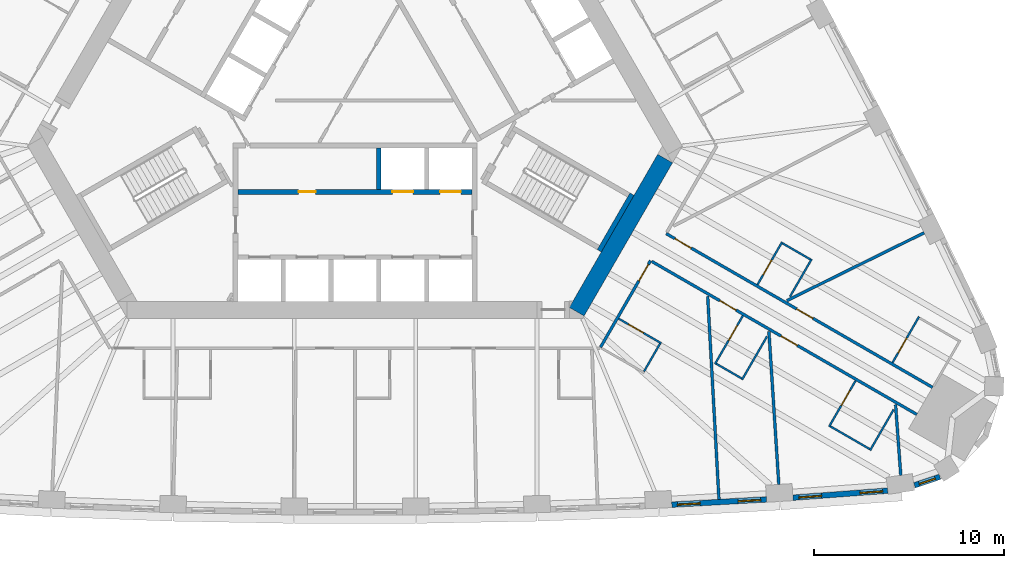
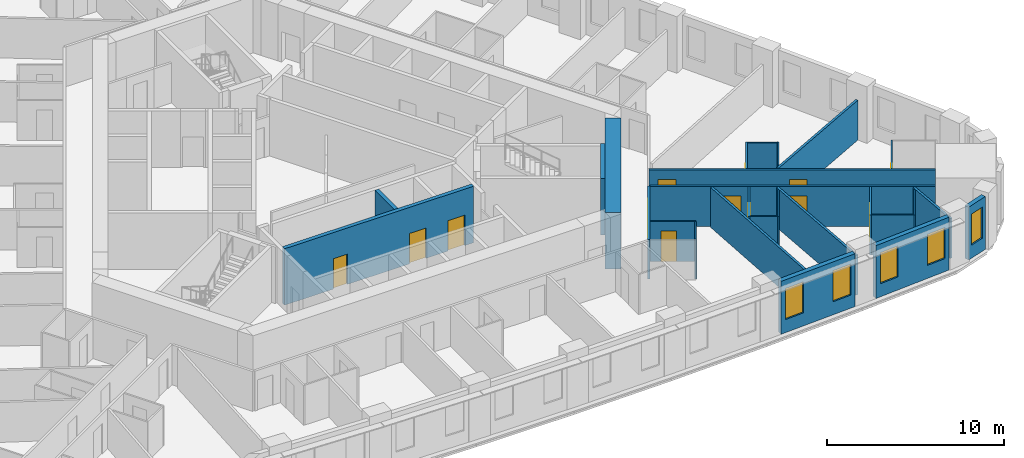
# One storey, part 7 of 13: 26 walls, 13 doors, 5 windows, 18 openings.
"""IFC4 building model written with IfcOpenShell, lengths in metres."""

import ifcopenshell
import ifcopenshell.guid

model = None  # the IFC model being written
_history = None  # IfcOwnerHistory: only IFC2X3 demands one
_inside = {}  # id of a spatial element -> (the spatial element, [elements in it])
_under = {}  # id of a project, library or spatial element -> (it, [spatial elements below it])
_declared = {}  # id of a project -> (the project, [libraries it declares])
_typed = {}  # id of a type object -> (the type object, [elements of that type])
_made_of = {}  # id of a material, layer set ... -> (it, [elements and type objects made of it])


def new_model(schema):
    """Start an empty IFC model of exactly this schema.

    Asked for "IFC4X3", IfcOpenShell would pick the latest addendum, in which some entities
    have other attributes; the version numbers below select the first issue.
    IFC2X3 requires an IfcOwnerHistory on every rooted entity: one is made here for all.
    """
    global model, _history
    if schema == "IFC4X3":
        model = ifcopenshell.file(schema_version=(4, 3, 0, 0))
    else:
        model = ifcopenshell.file(schema=schema)
    _inside.clear()
    _under.clear()
    _declared.clear()
    _typed.clear()
    _made_of.clear()
    _history = None
    if model.schema == "IFC2X3":
        org = make("IfcOrganization", Name="unknown")
        user = make(
            "IfcPersonAndOrganization",
            ThePerson=make("IfcPerson", FamilyName="unknown"),
            TheOrganization=org,
        )
        app = make(
            "IfcApplication",
            ApplicationDeveloper=org,
            Version="unknown",
            ApplicationFullName="unknown",
            ApplicationIdentifier="unknown",
        )
        _history = make(
            "IfcOwnerHistory",
            OwningUser=user,
            OwningApplication=app,
            ChangeAction="ADDED",
            CreationDate=0,
        )
    return model


def make(cls, **values):
    """One entity of the class cls with the attributes given. An attribute that is None is left unset."""
    return model.create_entity(
        cls, **{name: value for name, value in values.items() if value is not None}
    )


def rooted(cls, **values):
    """An entity with a GlobalId (a new one), such as an element, a storey or a relation."""
    return make(cls, GlobalId=ifcopenshell.guid.new(), OwnerHistory=_history, **values)


def si_unit(unit_type, name, prefix=None):
    """IfcSIUnit, for example si_unit("LENGTHUNIT", "METRE", prefix="MILLI")."""
    return make("IfcSIUnit", UnitType=unit_type, Prefix=prefix, Name=name)


def assignment(units):
    """IfcUnitAssignment: the units of a project."""
    return None if units is None else make("IfcUnitAssignment", Units=units)


def point(xyz):
    """IfcCartesianPoint."""
    return None if xyz is None else make("IfcCartesianPoint", Coordinates=xyz)


def direction(xyz):
    """IfcDirection."""
    return None if xyz is None else make("IfcDirection", DirectionRatios=xyz)


def frame(location, z_axis=None, x_axis=None):
    """IfcAxis2Placement3D, a coordinate frame: its origin and axes. An axis left out is left unset."""
    return make(
        "IfcAxis2Placement3D",
        Location=point(location),
        Axis=direction(z_axis),
        RefDirection=direction(x_axis),
    )


def frame_2d(location, x_axis=None):
    """IfcAxis2Placement2D, a coordinate frame in the plane: its origin and x axis."""
    return make(
        "IfcAxis2Placement2D", Location=point(location), RefDirection=direction(x_axis)
    )


def origin():
    """The frame at (0, 0, 0) with its axes left unset."""
    return frame((0.0, 0.0, 0.0))


def place(relative_to, where):
    """IfcLocalPlacement: puts the frame where relative to a parent placement (None: the world)."""
    return make(
        "IfcLocalPlacement", PlacementRelTo=relative_to, RelativePlacement=where
    )


def context(
    kind, dimensions, precision=None, world=None, true_north=None, identifier=None
):
    """IfcGeometricRepresentationContext, for example the 3D "Model" context."""
    return make(
        "IfcGeometricRepresentationContext",
        ContextIdentifier=identifier,
        ContextType=kind,
        CoordinateSpaceDimension=dimensions,
        Precision=precision,
        WorldCoordinateSystem=world,
        TrueNorth=true_north,
    )


def subcontext(parent, identifier, kind, view, scale=None):
    """IfcGeometricRepresentationSubContext, for example "Body" below "Model"."""
    return make(
        "IfcGeometricRepresentationSubContext",
        ContextIdentifier=identifier,
        ContextType=kind,
        ParentContext=parent,
        TargetScale=scale,
        TargetView=view,
    )


def project(units=None, contexts=None):
    """IfcProject with its units and contexts."""
    return rooted(
        "IfcProject",
        Name="project",
        RepresentationContexts=contexts,
        UnitsInContext=assignment(units),
    )


def spatial(cls, under=None, at=None, **own):
    """A site, building, storey or space (cls), placed at a placement, below another one or the project."""
    s = rooted(cls, ObjectPlacement=at, **own)
    if under is not None:
        _under.setdefault(under.id(), (under, []))[1].append(s)
    return s


def profile(cls, at=None, kind="AREA", **sizes):
    """A parametric profile (cls). Its sizes go by their IFC names, for example OverallWidth=200.0."""
    return make(cls, ProfileType=kind, Position=at, **sizes)


def rectangle(**sizes):
    """IfcRectangleProfileDef."""
    return profile("IfcRectangleProfileDef", **sizes)


def extrude(swept, where, along, depth):
    """IfcExtrudedAreaSolid: the profile swept, set in the frame where, extruded along a direction by depth."""
    return make(
        "IfcExtrudedAreaSolid",
        SweptArea=swept,
        Position=where,
        ExtrudedDirection=direction(along),
        Depth=depth,
    )


def shape(context_of_items, identifier, shape_type, items):
    """IfcShapeRepresentation: the items that make up one representation, for example the "Body"."""
    return make(
        "IfcShapeRepresentation",
        ContextOfItems=context_of_items,
        RepresentationIdentifier=identifier,
        RepresentationType=shape_type,
        Items=items,
    )


def material(Name=None, Category=None):
    """IfcMaterial."""
    return make("IfcMaterial", Name=Name, Category=Category)


def layer(
    of_material, thickness, ventilated=None, Name=None, Category=None, Priority=None
):
    """IfcMaterialLayer: one layer of a wall or slab, of a material (None: an air gap)."""
    return make(
        "IfcMaterialLayer",
        Material=of_material,
        LayerThickness=thickness,
        IsVentilated=ventilated,
        Name=Name,
        Category=Category,
        Priority=Priority,
    )


def layer_set(layers, Name=None):
    """IfcMaterialLayerSet."""
    return make("IfcMaterialLayerSet", MaterialLayers=layers, LayerSetName=Name)


def made_of(thing, what):
    """Note that an element or type object is made of a material, layer set ...; save() writes the relation."""
    if what is not None:
        _made_of.setdefault(what.id(), (what, []))[1].append(thing)
    return thing


def type_object(cls, material=None, **own):
    """A type object (cls), such as IfcWallType, which elements share."""
    return made_of(rooted(cls, **own), material)


def element(
    cls,
    number,
    at=None,
    inside=None,
    cuts=None,
    type_object=None,
    material=None,
    context=None,
    identifier="Body",
    shape_type=None,
    held_by="IfcProductDefinitionShape",
    body=None,
    shapes=None,
    **own,
):
    """One element of the class cls, such as IfcWall. Its Tag is "e" and its number.

    at: its placement. inside: the storey or other place that contains it. cuts: it is an
    opening in that element (IfcRelVoidsElement). A single representation is given by context,
    identifier, shape_type and body (its items); several are given by shapes. held_by: the class
    of the entity that holds the representations. save() writes the other relations.
    """
    e = rooted(cls, Tag="e%d" % number, ObjectPlacement=at, **own)
    if body is not None:
        shapes = [shape(context, identifier, shape_type, body)]
    if shapes is not None:
        e.Representation = make(held_by, Representations=shapes)
    if inside is not None:
        _inside.setdefault(inside.id(), (inside, []))[1].append(e)
    if cuts is not None:
        rooted(
            "IfcRelVoidsElement", RelatingBuildingElement=cuts, RelatedOpeningElement=e
        )
    if type_object is not None:
        _typed.setdefault(type_object.id(), (type_object, []))[1].append(e)
    return made_of(e, material)


def fill(opening, filler):
    """IfcRelFillsElement: the door or window that sits in an opening."""
    return rooted(
        "IfcRelFillsElement",
        RelatingOpeningElement=opening,
        RelatedBuildingElement=filler,
    )


def aggregate(whole, parts):
    """IfcRelAggregates: a whole, such as a stair, and the parts it consists of."""
    return rooted("IfcRelAggregates", RelatingObject=whole, RelatedObjects=parts)


def save(model, path):
    """Write the relations noted so far, then the file.

    IfcRelAggregates (storeys below a building ...), IfcRelContainedInSpatialStructure (elements
    in a storey), IfcRelDefinesByType, IfcRelAssociatesMaterial and IfcRelDeclares: one each for
    every whole, place, type object, material and project.
    """
    for whole, parts in _under.values():
        aggregate(whole, parts)
    for where, things in _inside.values():
        rooted(
            "IfcRelContainedInSpatialStructure",
            RelatedElements=things,
            RelatingStructure=where,
        )
    for kind, things in _typed.values():
        rooted("IfcRelDefinesByType", RelatedObjects=things, RelatingType=kind)
    for what, things in _made_of.values():
        rooted("IfcRelAssociatesMaterial", RelatedObjects=things, RelatingMaterial=what)
    for by, libraries in _declared.values():
        rooted("IfcRelDeclares", RelatingContext=by, RelatedDefinitions=libraries)
    model.write(path)


model = new_model("IFC4")

# Units and contexts
model_context = context("Model", 3, precision=1e-05, world=origin(), true_north=direction((0.0, 1.0)))
body_context = subcontext(model_context, "Body", "Model", "MODEL_VIEW")
ifc_project = project(units=[si_unit("LENGTHUNIT", "METRE"), si_unit("AREAUNIT", "SQUARE_METRE"), si_unit("VOLUMEUNIT", "CUBIC_METRE"), si_unit("PLANEANGLEUNIT", "RADIAN"), si_unit("MASSUNIT", "GRAM", prefix="KILO")], contexts=[model_context])

# Site, building, storey
site_placement = place(None, origin())
site = spatial("IfcSite", under=ifc_project, at=site_placement, CompositionType="ELEMENT")
building_placement = place(site_placement, origin())
building = spatial("IfcBuilding", under=site, at=building_placement, Name="Mestral Congress Tower", CompositionType="ELEMENT")
storey_placement = place(building_placement, frame((0.0, 0.0, 27.60009765625)))
storey = spatial("IfcBuildingStorey", under=building, at=storey_placement, Name="L05", CompositionType="ELEMENT", Elevation=27.60009765625)

# Wall
ifc_material_1 = material(Name="Concrete C60/75", Category="concrete")
ifc_layer_1 = layer(ifc_material_1, 0.89990234375)
ifc_layer_set_1 = layer_set([ifc_layer_1], Name="Concrete C60/75")
wall_type_1 = type_object("IfcWallType", Name="Core wall RC 900", PredefinedType="SOLIDWALL", material=ifc_layer_set_1)
wall_1_placement = place(storey_placement, frame((11.69482421875, -12.643798828125, 0.0), z_axis=(0.0, 0.0, 1.0), x_axis=(0.500010229568, 0.86601949766, 0.0)))
element("IfcWall", 1, at=wall_1_placement, inside=storey, type_object=wall_type_1, Name="L05 core wall", PredefinedType="SOLIDWALL", context=body_context, shape_type="SweptSolid", body=[
    extrude(rectangle(XDim=9.326416015625, YDim=0.89990234375, at=frame_2d((4.6630859375, 0.0))), origin(), (0.0, 0.0, 1.0), 3.89990234375),
])

# Wall, openings, windows
ifc_material_2 = material(Name="Precast concrete C40/50 with limestone facing", Category="masonry")
ifc_layer_2 = layer(ifc_material_2, 0.2900390625)
ifc_layer_set_2 = layer_set([ifc_layer_2], Name="Precast concrete C40/50 with limestone facing")
wall_type_2 = type_object("IfcWallType", Name="Facade stone wall 290", PredefinedType="SOLIDWALL", material=ifc_layer_set_2)
wall_2_placement = place(storey_placement, frame((16.7109375, -22.823974609375, 0.0), z_axis=(0.0, 0.0, 1.0), x_axis=(0.998464708705, 0.055391564976, 0.0)))
wall_2 = element("IfcWall", 2, at=wall_2_placement, inside=storey, type_object=wall_type_2, Name="Facade wall F0-07", PredefinedType="SOLIDWALL", context=body_context, shape_type="SweptSolid", body=[
    extrude(rectangle(XDim=4.998046875, YDim=0.2900390625, at=frame_2d((2.4990234375, 0.0))), origin(), (0.0, 0.0, 1.0), 3.64990234375),
])
opening_1_placement = place(wall_2_placement, frame((0.297119140625, 0.0, 0.89990234375)))
opening_1 = element("IfcOpeningElement", 3, at=opening_1_placement, cuts=wall_2, Name="Opening W1", PredefinedType="OPENING", context=body_context, shape_type="SweptSolid", body=[
    extrude(rectangle(XDim=1.199951171875, YDim=2.14990234375, at=frame_2d((0.60009765625, 1.074951171875))), frame((0.0, 0.155029296875, 0.0), z_axis=(0.0, -1.0, 0.0), x_axis=(1.0, 0.0, 0.0)), (0.0, 0.0, 1.0), 0.31005859375),
])
opening_2_placement = place(wall_2_placement, frame((3.501220703125, 0.0, 0.89990234375)))
opening_2 = element("IfcOpeningElement", 4, at=opening_2_placement, cuts=wall_2, Name="Opening W1", PredefinedType="OPENING", context=body_context, shape_type="SweptSolid", body=[
    extrude(rectangle(XDim=1.199951171875, YDim=2.14990234375, at=frame_2d((0.60009765625, 1.074951171875))), frame((0.0, 0.155029296875, 0.0), z_axis=(0.0, -1.0, 0.0), x_axis=(1.0, 0.0, 0.0)), (0.0, 0.0, 1.0), 0.31005859375),
])
ifc_material_3 = material(Name="Clear low-emissivity double glazing", Category="glass")
window_type_1 = type_object("IfcWindowType", Name="Facade punched window 1200 x 2150 sill 900", PartitioningType="DOUBLE_PANEL_VERTICAL", PredefinedType="WINDOW", material=ifc_material_3)
window_1_placement = place(opening_1_placement, origin())
window_1 = element("IfcWindow", 5, at=window_1_placement, inside=storey, type_object=window_type_1, Name="Window F0-07a", OverallHeight=2.14990234375, OverallWidth=1.199951171875, PartitioningType="DOUBLE_PANEL_VERTICAL", PredefinedType="WINDOW", context=body_context, shape_type="SweptSolid", body=[
    extrude(rectangle(XDim=1.199951171875, YDim=2.14990234375, at=frame_2d((0.60009765625, 1.074951171875))), frame((0.0, 0.01513671875, 0.0), z_axis=(0.0, -1.0, 0.0), x_axis=(1.0, 0.0, 0.0)), (0.0, 0.0, 1.0), 0.06005859375),
])
fill(opening_1, window_1)
window_2_placement = place(opening_2_placement, origin())
window_2 = element("IfcWindow", 6, at=window_2_placement, inside=storey, type_object=window_type_1, Name="Window F0-07b", OverallHeight=2.14990234375, OverallWidth=1.199951171875, PartitioningType="DOUBLE_PANEL_VERTICAL", PredefinedType="WINDOW", context=body_context, shape_type="SweptSolid", body=[
    extrude(rectangle(XDim=1.199951171875, YDim=2.14990234375, at=frame_2d((0.60009765625, 1.074951171875))), frame((0.0, 0.01513671875, 0.0), z_axis=(0.0, -1.0, 0.0), x_axis=(1.0, 0.0, 0.0)), (0.0, 0.0, 1.0), 0.06005859375),
])
fill(opening_2, window_2)

wall_3_placement = place(storey_placement, frame((23.10595703125, -22.4560546875, 0.0), z_axis=(0.0, 0.0, 1.0), x_axis=(0.997266290399, 0.073891447643, 0.0)))
wall_3 = element("IfcWall", 7, at=wall_3_placement, inside=storey, type_object=wall_type_2, Name="Facade wall F0-08", PredefinedType="SOLIDWALL", context=body_context, shape_type="SweptSolid", body=[
    extrude(rectangle(XDim=5.005615234375, YDim=0.2900390625, at=frame_2d((2.5029296875, 0.0))), origin(), (0.0, 0.0, 1.0), 3.64990234375),
])
opening_3_placement = place(wall_3_placement, frame((0.31005859375, 0.0, 0.89990234375)))
opening_3 = element("IfcOpeningElement", 8, at=opening_3_placement, cuts=wall_3, Name="Opening W1", PredefinedType="OPENING", context=body_context, shape_type="SweptSolid", body=[
    extrude(rectangle(XDim=1.199951171875, YDim=2.14990234375, at=frame_2d((0.60009765625, 1.074951171875))), frame((0.0, 0.155029296875, 0.0), z_axis=(0.0, -1.0, 0.0), x_axis=(1.0, 0.0, 0.0)), (0.0, 0.0, 1.0), 0.31005859375),
])
opening_4_placement = place(wall_3_placement, frame((3.540283203125, 0.0, 0.89990234375)))
opening_4 = element("IfcOpeningElement", 9, at=opening_4_placement, cuts=wall_3, Name="Opening W1", PredefinedType="OPENING", context=body_context, shape_type="SweptSolid", body=[
    extrude(rectangle(XDim=1.199951171875, YDim=2.14990234375, at=frame_2d((0.60009765625, 1.074951171875))), frame((0.0, 0.155029296875, 0.0), z_axis=(0.0, -1.0, 0.0), x_axis=(1.0, 0.0, 0.0)), (0.0, 0.0, 1.0), 0.31005859375),
])
window_3_placement = place(opening_3_placement, origin())
window_3 = element("IfcWindow", 10, at=window_3_placement, inside=storey, type_object=window_type_1, Name="Window F0-08a", OverallHeight=2.14990234375, OverallWidth=1.199951171875, PartitioningType="DOUBLE_PANEL_VERTICAL", PredefinedType="WINDOW", context=body_context, shape_type="SweptSolid", body=[
    extrude(rectangle(XDim=1.199951171875, YDim=2.14990234375, at=frame_2d((0.60009765625, 1.074951171875))), frame((0.0, 0.01513671875, 0.0), z_axis=(0.0, -1.0, 0.0), x_axis=(1.0, 0.0, 0.0)), (0.0, 0.0, 1.0), 0.06005859375),
])
fill(opening_3, window_3)
window_4_placement = place(opening_4_placement, origin())
window_4 = element("IfcWindow", 11, at=window_4_placement, inside=storey, type_object=window_type_1, Name="Window F0-08b", OverallHeight=2.14990234375, OverallWidth=1.199951171875, PartitioningType="DOUBLE_PANEL_VERTICAL", PredefinedType="WINDOW", context=body_context, shape_type="SweptSolid", body=[
    extrude(rectangle(XDim=1.199951171875, YDim=2.14990234375, at=frame_2d((0.60009765625, 1.074951171875))), frame((0.0, 0.01513671875, 0.0), z_axis=(0.0, -1.0, 0.0), x_axis=(1.0, 0.0, 0.0)), (0.0, 0.0, 1.0), 0.06005859375),
])
fill(opening_4, window_4)

# Wall, opening, window
wall_4_placement = place(storey_placement, frame((29.51171875, -21.80224609375, 0.0), z_axis=(0.0, 0.0, 1.0), x_axis=(0.947903891592, 0.318556450734, 0.0)))
wall_4 = element("IfcWall", 12, at=wall_4_placement, inside=storey, type_object=wall_type_2, Name="Facade wall K0-0", PredefinedType="SOLIDWALL", context=body_context, shape_type="SweptSolid", body=[
    extrude(rectangle(XDim=1.414794921875, YDim=0.2900390625, at=frame_2d((0.70751953125, 0.0))), origin(), (0.0, 0.0, 1.0), 3.64990234375),
])
opening_5_placement = place(wall_4_placement, frame((0.25732421875, 0.0, 0.89990234375)))
opening_5 = element("IfcOpeningElement", 13, at=opening_5_placement, cuts=wall_4, Name="Opening W3", PredefinedType="OPENING", context=body_context, shape_type="SweptSolid", body=[
    extrude(rectangle(XDim=0.89990234375, YDim=2.14990234375, at=frame_2d((0.449951171875, 1.074951171875))), frame((0.0, 0.155029296875, 0.0), z_axis=(0.0, -1.0, 0.0), x_axis=(1.0, 0.0, 0.0)), (0.0, 0.0, 1.0), 0.31005859375),
])
window_type_2 = type_object("IfcWindowType", Name="Facade punched window 900 x 2150 sill 900", PartitioningType="SINGLE_PANEL", PredefinedType="WINDOW", material=ifc_material_3)
window_5_placement = place(opening_5_placement, origin())
window_5 = element("IfcWindow", 14, at=window_5_placement, inside=storey, type_object=window_type_2, Name="Window K0-0", OverallHeight=2.14990234375, OverallWidth=0.89990234375, PartitioningType="SINGLE_PANEL", PredefinedType="WINDOW", context=body_context, shape_type="SweptSolid", body=[
    extrude(rectangle(XDim=0.89990234375, YDim=2.14990234375, at=frame_2d((0.449951171875, 1.074951171875))), frame((0.0, 0.01513671875, 0.0), z_axis=(0.0, -1.0, 0.0), x_axis=(1.0, 0.0, 0.0)), (0.0, 0.0, 1.0), 0.06005859375),
])
fill(opening_5, window_5)

# Wall, opening, door
ifc_material_4 = material(Name="Gypsum board partition on metal studs with mineral wool", Category="composite")
ifc_layer_3 = layer(ifc_material_4, 0.10009765625)
ifc_layer_set_3 = layer_set([ifc_layer_3], Name="Gypsum board partition on metal studs with mineral wool")
wall_type_3 = type_object("IfcWallType", Name="Hotel partition wall 100", PredefinedType="PARTITIONING", material=ifc_layer_set_3)
wall_5_placement = place(storey_placement, frame((16.159912109375, -14.310302734375, 0.0), z_axis=(0.0, 0.0, 1.0), x_axis=(-0.866062058628, 0.499936506574, 0.0)))
wall_5 = element("IfcWall", 15, at=wall_5_placement, inside=storey, type_object=wall_type_3, Name="L05-h-pod08a", PredefinedType="PARTITIONING", context=body_context, shape_type="SweptSolid", body=[
    extrude(rectangle(XDim=2.599853515625, YDim=0.10009765625, at=frame_2d((1.2998046875, 0.0))), origin(), (0.0, 0.0, 1.0), 2.75),
])
opening_6_placement = place(wall_5_placement, frame((1.10009765625, 0.0, 0.0)))
opening_6 = element("IfcOpeningElement", 16, at=opening_6_placement, cuts=wall_5, Name="Opening H01-015", PredefinedType="OPENING", context=body_context, shape_type="SweptSolid", body=[
    extrude(rectangle(XDim=0.89990234375, YDim=2.10009765625, at=frame_2d((0.449951171875, 1.050048828125))), frame((0.0, 0.06005859375, 0.0), z_axis=(0.0, -1.0, 0.0), x_axis=(1.0, 0.0, 0.0)), (0.0, 0.0, 1.0), 0.1201171875),
])
ifc_material_5 = material(Name="Timber veneer door leaf in timber frame", Category="wood")
door_type_1 = type_object("IfcDoorType", Name="Bathroom door 900", OperationType="SINGLE_SWING_LEFT", PredefinedType="DOOR", material=ifc_material_5)
door_1_placement = place(opening_6_placement, origin())
door_1 = element("IfcDoor", 17, at=door_1_placement, inside=storey, type_object=door_type_1, Name="L05-h-d015", OperationType="SINGLE_SWING_LEFT", OverallHeight=2.10009765625, OverallWidth=0.89990234375, PredefinedType="DOOR", context=body_context, shape_type="SweptSolid", body=[
    extrude(rectangle(XDim=0.89990234375, YDim=2.10009765625, at=frame_2d((0.449951171875, 1.050048828125))), frame((0.0, 0.02490234375, 0.0), z_axis=(0.0, -1.0, 0.0), x_axis=(1.0, 0.0, 0.0)), (0.0, 0.0, 1.0), 0.050048828125),
])
fill(opening_6, door_1)

# Wall
wall_6_placement = place(storey_placement, frame((16.091552734375, -14.32861328125, 0.0), z_axis=(0.0, 0.0, 1.0), x_axis=(-0.500062241894, -0.865989465428, 0.0)))
element("IfcWall", 18, at=wall_6_placement, inside=storey, type_object=wall_type_3, Name="L05-h-pod08b", PredefinedType="PARTITIONING", context=body_context, shape_type="SweptSolid", body=[
    extrude(rectangle(XDim=1.699951171875, YDim=0.10009765625, at=frame_2d((0.85009765625, 0.0))), origin(), (0.0, 0.0, 1.0), 2.75),
])

# Wall, opening, door
wall_7_placement = place(storey_placement, frame((20.4609375, -12.852294921875, 0.0), z_axis=(0.0, 0.0, 1.0), x_axis=(-0.49997559174, -0.866039495442, 0.0)))
wall_7 = element("IfcWall", 19, at=wall_7_placement, inside=storey, type_object=wall_type_3, Name="L05-h-pod09a", PredefinedType="PARTITIONING", context=body_context, shape_type="SweptSolid", body=[
    extrude(rectangle(XDim=2.949951171875, YDim=0.10009765625, at=frame_2d((1.47509765625, 0.0))), origin(), (0.0, 0.0, 1.0), 2.75),
])
opening_7_placement = place(wall_7_placement, frame((0.60009765625, 0.0, 0.0)))
opening_7 = element("IfcOpeningElement", 20, at=opening_7_placement, cuts=wall_7, Name="Opening H01-017", PredefinedType="OPENING", context=body_context, shape_type="SweptSolid", body=[
    extrude(rectangle(XDim=0.89990234375, YDim=2.10009765625, at=frame_2d((0.449951171875, 1.050048828125))), frame((0.0, 0.06005859375, 0.0), z_axis=(0.0, -1.0, 0.0), x_axis=(1.0, 0.0, 0.0)), (0.0, 0.0, 1.0), 0.1201171875),
])
door_2_placement = place(opening_7_placement, origin())
door_2 = element("IfcDoor", 21, at=door_2_placement, inside=storey, type_object=door_type_1, Name="L05-h-d017", OperationType="SINGLE_SWING_RIGHT", OverallHeight=2.10009765625, OverallWidth=0.89990234375, PredefinedType="DOOR", context=body_context, shape_type="SweptSolid", body=[
    extrude(rectangle(XDim=0.89990234375, YDim=2.10009765625, at=frame_2d((0.449951171875, 1.050048828125))), frame((0.0, 0.02490234375, 0.0), z_axis=(0.0, -1.0, 0.0), x_axis=(1.0, 0.0, 0.0)), (0.0, 0.0, 1.0), 0.050048828125),
])
fill(opening_7, door_2)

# Walls
wall_8_placement = place(storey_placement, frame((19.05419921875, -15.388916015625, 0.0), z_axis=(0.0, 0.0, 1.0), x_axis=(0.866043940782, -0.499967891604, 0.0)))
element("IfcWall", 22, at=wall_8_placement, inside=storey, type_object=wall_type_3, Name="L05-h-pod09b", PredefinedType="PARTITIONING", context=body_context, shape_type="SweptSolid", body=[
    extrude(rectangle(XDim=1.5498046875, YDim=0.10009765625, at=frame_2d((0.77490234375, 0.0))), origin(), (0.0, 0.0, 1.0), 2.75),
])
wall_9_placement = place(storey_placement, frame((21.73486328125, -13.94580078125, 0.0), z_axis=(0.0, 0.0, 1.0), x_axis=(-0.500007957085, -0.86602080971, 0.0)))
element("IfcWall", 23, at=wall_9_placement, inside=storey, type_object=wall_type_3, Name="L05-h-pod09c", PredefinedType="PARTITIONING", context=body_context, shape_type="SweptSolid", body=[
    extrude(rectangle(XDim=2.64013671875, YDim=0.10009765625, at=frame_2d((1.320068359375, 0.0))), origin(), (0.0, 0.0, 1.0), 2.75),
])

# Wall, opening, door
wall_10_placement = place(storey_placement, frame((26.40478515625, -16.2841796875, 0.0), z_axis=(0.0, 0.0, 1.0), x_axis=(-0.49998411664, -0.866034573852, 0.0)))
wall_10 = element("IfcWall", 24, at=wall_10_placement, inside=storey, type_object=wall_type_3, Name="L05-h-pod10a", PredefinedType="PARTITIONING", context=body_context, shape_type="SweptSolid", body=[
    extrude(rectangle(XDim=2.7998046875, YDim=0.10009765625, at=frame_2d((1.39990234375, 0.0))), origin(), (0.0, 0.0, 1.0), 2.75),
])
opening_8_placement = place(wall_10_placement, frame((0.60009765625, 0.0, 0.0)))
opening_8 = element("IfcOpeningElement", 25, at=opening_8_placement, cuts=wall_10, Name="Opening H01-019", PredefinedType="OPENING", context=body_context, shape_type="SweptSolid", body=[
    extrude(rectangle(XDim=0.89990234375, YDim=2.10009765625, at=frame_2d((0.449951171875, 1.050048828125))), frame((0.0, 0.06005859375, 0.0), z_axis=(0.0, -1.0, 0.0), x_axis=(1.0, 0.0, 0.0)), (0.0, 0.0, 1.0), 0.1201171875),
])
door_3_placement = place(opening_8_placement, origin())
door_3 = element("IfcDoor", 26, at=door_3_placement, inside=storey, type_object=door_type_1, Name="L05-h-d019", OperationType="SINGLE_SWING_LEFT", OverallHeight=2.10009765625, OverallWidth=0.89990234375, PredefinedType="DOOR", context=body_context, shape_type="SweptSolid", body=[
    extrude(rectangle(XDim=0.89990234375, YDim=2.10009765625, at=frame_2d((0.449951171875, 1.050048828125))), frame((0.0, 0.02490234375, 0.0), z_axis=(0.0, -1.0, 0.0), x_axis=(1.0, 0.0, 0.0)), (0.0, 0.0, 1.0), 0.050048828125),
])
fill(opening_8, door_3)

# Walls
wall_11_placement = place(storey_placement, frame((25.0732421875, -18.690673828125, 0.0), z_axis=(0.0, 0.0, 1.0), x_axis=(0.866024647952, -0.500001309137, 0.0)))
element("IfcWall", 27, at=wall_11_placement, inside=storey, type_object=wall_type_3, Name="L05-h-pod10b", PredefinedType="PARTITIONING", context=body_context, shape_type="SweptSolid", body=[
    extrude(rectangle(XDim=2.39990234375, YDim=0.10009765625, at=frame_2d((1.199951171875, 0.0))), origin(), (0.0, 0.0, 1.0), 2.75),
])
wall_12_placement = place(storey_placement, frame((28.414794921875, -17.802490234375, 0.0), z_axis=(0.0, 0.0, 1.0), x_axis=(-0.499945955465, -0.866056604163, 0.0)))
element("IfcWall", 28, at=wall_12_placement, inside=storey, type_object=wall_type_3, Name="L05-h-pod10c", PredefinedType="PARTITIONING", context=body_context, shape_type="SweptSolid", body=[
    extrude(rectangle(XDim=2.489990234375, YDim=0.10009765625, at=frame_2d((1.2451171875, 0.0))), origin(), (0.0, 0.0, 1.0), 2.75),
])

# Wall, opening, door
wall_13_placement = place(storey_placement, frame((29.75244140625, -12.9052734375, 0.0), z_axis=(0.0, 0.0, 1.0), x_axis=(-0.500049511043, -0.865996816683, 0.0)))
wall_13 = element("IfcWall", 29, at=wall_13_placement, inside=storey, type_object=wall_type_3, Name="L05-h-pod11a", PredefinedType="PARTITIONING", context=body_context, shape_type="SweptSolid", body=[
    extrude(rectangle(XDim=2.800048828125, YDim=0.10009765625, at=frame_2d((1.39990234375, 0.0))), origin(), (0.0, 0.0, 1.0), 2.75),
])
opening_9_placement = place(wall_13_placement, frame((1.300048828125, 0.0, 0.0)))
opening_9 = element("IfcOpeningElement", 30, at=opening_9_placement, cuts=wall_13, Name="Opening H01-021", PredefinedType="OPENING", context=body_context, shape_type="SweptSolid", body=[
    extrude(rectangle(XDim=0.89990234375, YDim=2.10009765625, at=frame_2d((0.449951171875, 1.050048828125))), frame((0.0, 0.06005859375, 0.0), z_axis=(0.0, -1.0, 0.0), x_axis=(1.0, 0.0, 0.0)), (0.0, 0.0, 1.0), 0.1201171875),
])
door_4_placement = place(opening_9_placement, origin())
door_4 = element("IfcDoor", 31, at=door_4_placement, inside=storey, type_object=door_type_1, Name="L05-h-d021", OperationType="SINGLE_SWING_LEFT", OverallHeight=2.10009765625, OverallWidth=0.89990234375, PredefinedType="DOOR", context=body_context, shape_type="SweptSolid", body=[
    extrude(rectangle(XDim=0.89990234375, YDim=2.10009765625, at=frame_2d((0.449951171875, 1.050048828125))), frame((0.0, 0.02490234375, 0.0), z_axis=(0.0, -1.0, 0.0), x_axis=(1.0, 0.0, 0.0)), (0.0, 0.0, 1.0), 0.050048828125),
])
fill(opening_9, door_4)

wall_14_placement = place(storey_placement, frame((22.5302734375, -8.96630859375, 0.0), z_axis=(0.0, 0.0, 1.0), x_axis=(-0.500006934395, -0.866021400173, 0.0)))
wall_14 = element("IfcWall", 32, at=wall_14_placement, inside=storey, type_object=wall_type_3, Name="L05-h-pod12a", PredefinedType="PARTITIONING", context=body_context, shape_type="SweptSolid", body=[
    extrude(rectangle(XDim=2.60009765625, YDim=0.10009765625, at=frame_2d((1.300048828125, 0.0))), origin(), (0.0, 0.0, 1.0), 2.75),
])
opening_10_placement = place(wall_14_placement, frame((1.10009765625, 0.0, 0.0)))
opening_10 = element("IfcOpeningElement", 33, at=opening_10_placement, cuts=wall_14, Name="Opening H01-023", PredefinedType="OPENING", context=body_context, shape_type="SweptSolid", body=[
    extrude(rectangle(XDim=0.89990234375, YDim=2.10009765625, at=frame_2d((0.449951171875, 1.050048828125))), frame((0.0, 0.06005859375, 0.0), z_axis=(0.0, -1.0, 0.0), x_axis=(1.0, 0.0, 0.0)), (0.0, 0.0, 1.0), 0.1201171875),
])
door_5_placement = place(opening_10_placement, origin())
door_5 = element("IfcDoor", 34, at=door_5_placement, inside=storey, type_object=door_type_1, Name="L05-h-d023", OperationType="SINGLE_SWING_RIGHT", OverallHeight=2.10009765625, OverallWidth=0.89990234375, PredefinedType="DOOR", context=body_context, shape_type="SweptSolid", body=[
    extrude(rectangle(XDim=0.89990234375, YDim=2.10009765625, at=frame_2d((0.449951171875, 1.050048828125))), frame((0.0, 0.02490234375, 0.0), z_axis=(0.0, -1.0, 0.0), x_axis=(1.0, 0.0, 0.0)), (0.0, 0.0, 1.0), 0.050048828125),
])
fill(opening_10, door_5)

# Walls
wall_15_placement = place(storey_placement, frame((22.548583984375, -9.03466796875, 0.0), z_axis=(0.0, 0.0, 1.0), x_axis=(0.86605165483, -0.499954529098, 0.0)))
element("IfcWall", 35, at=wall_15_placement, inside=storey, type_object=wall_type_3, Name="L05-h-pod12b", PredefinedType="PARTITIONING", context=body_context, shape_type="SweptSolid", body=[
    extrude(rectangle(XDim=1.699951171875, YDim=0.10009765625, at=frame_2d((0.85009765625, 0.0))), origin(), (0.0, 0.0, 1.0), 2.75),
])
wall_16_placement = place(storey_placement, frame((22.944091796875, -11.849609375, 0.0), z_axis=(0.0, 0.0, 1.0), x_axis=(0.499968531483, 0.866043571379, 0.0)))
element("IfcWall", 36, at=wall_16_placement, inside=storey, type_object=wall_type_3, Name="L05-h-pod12c", PredefinedType="PARTITIONING", context=body_context, shape_type="SweptSolid", body=[
    extrude(rectangle(XDim=2.290283203125, YDim=0.10009765625, at=frame_2d((1.14501953125, 0.0))), origin(), (0.0, 0.0, 1.0), 2.75),
])

# Wall, openings, doors
ifc_layer_4 = layer(ifc_material_4, 0.14990234375)
ifc_layer_set_4 = layer_set([ifc_layer_4], Name="Gypsum board partition on metal studs with mineral wool")
wall_type_4 = type_object("IfcWallType", Name="Hotel partition wall 150", PredefinedType="PARTITIONING", material=ifc_layer_set_4)
wall_17_placement = place(storey_placement, frame((16.412353515625, -8.52294921875, 0.0), z_axis=(0.0, 0.0, 1.0), x_axis=(0.866022197818, -0.500005552856, 0.0)))
wall_17 = element("IfcWall", 37, at=wall_17_placement, inside=storey, type_object=wall_type_4, Name="L05-h-cw01", PredefinedType="PARTITIONING", context=body_context, shape_type="SweptSolid", body=[
    extrude(rectangle(XDim=16.223876953125, YDim=0.14990234375, at=frame_2d((8.11181640625, 0.0))), origin(), (0.0, 0.0, 1.0), 2.75),
])
opening_11_placement = place(wall_17_placement, frame((7.94921875, 0.0, 0.0)))
opening_11 = element("IfcOpeningElement", 38, at=opening_11_placement, cuts=wall_17, Name="Opening H01-020", PredefinedType="OPENING", context=body_context, shape_type="SweptSolid", body=[
    extrude(rectangle(XDim=1.0, YDim=2.10009765625, at=frame_2d((0.5, 1.050048828125))), frame((0.0, 0.0849609375, 0.0), z_axis=(0.0, -1.0, 0.0), x_axis=(1.0, 0.0, 0.0)), (0.0, 0.0, 1.0), 0.169921875),
])
opening_12_placement = place(wall_17_placement, frame((0.526123046875, 0.0, 0.0)))
opening_12 = element("IfcOpeningElement", 39, at=opening_12_placement, cuts=wall_17, Name="Opening H01-022", PredefinedType="OPENING", context=body_context, shape_type="SweptSolid", body=[
    extrude(rectangle(XDim=1.0, YDim=2.10009765625, at=frame_2d((0.5, 1.050048828125))), frame((0.0, 0.0849609375, 0.0), z_axis=(0.0, -1.0, 0.0), x_axis=(1.0, 0.0, 0.0)), (0.0, 0.0, 1.0), 0.169921875),
])
ifc_material_6 = material(Name="Timber veneer door leaf in metal frame", Category="wood")
door_type_2 = type_object("IfcDoorType", Name="Guest room entrance door 1000", OperationType="SINGLE_SWING_LEFT", PredefinedType="DOOR", material=ifc_material_6)
door_6_placement = place(opening_11_placement, origin())
door_6 = element("IfcDoor", 40, at=door_6_placement, inside=storey, type_object=door_type_2, Name="L05-h-d020", OperationType="SINGLE_SWING_LEFT", OverallHeight=2.10009765625, OverallWidth=1.0, PredefinedType="DOOR", context=body_context, shape_type="SweptSolid", body=[
    extrude(rectangle(XDim=1.0, YDim=2.10009765625, at=frame_2d((0.5, 1.050048828125))), frame((0.0, 0.02490234375, 0.0), z_axis=(0.0, -1.0, 0.0), x_axis=(1.0, 0.0, 0.0)), (0.0, 0.0, 1.0), 0.050048828125),
])
fill(opening_11, door_6)
door_7_placement = place(opening_12_placement, origin())
door_7 = element("IfcDoor", 41, at=door_7_placement, inside=storey, type_object=door_type_2, Name="L05-h-d022", OperationType="SINGLE_SWING_LEFT", OverallHeight=2.10009765625, OverallWidth=1.0, PredefinedType="DOOR", context=body_context, shape_type="SweptSolid", body=[
    extrude(rectangle(XDim=1.0, YDim=2.10009765625, at=frame_2d((0.5, 1.050048828125))), frame((0.0, 0.02490234375, 0.0), z_axis=(0.0, -1.0, 0.0), x_axis=(1.0, 0.0, 0.0)), (0.0, 0.0, 1.0), 0.050048828125),
])
fill(opening_12, door_7)

# Wall, opening, door
wall_18_placement = place(storey_placement, frame((15.58740234375, -9.951904296875, 0.0), z_axis=(0.0, 0.0, 1.0), x_axis=(-0.500016618951, -0.866015808616, 0.0)))
wall_18 = element("IfcWall", 42, at=wall_18_placement, inside=storey, type_object=wall_type_4, Name="L05-h-cw14", PredefinedType="PARTITIONING", context=body_context, shape_type="SweptSolid", body=[
    extrude(rectangle(XDim=5.268310546875, YDim=0.14990234375, at=frame_2d((2.63427734375, 0.0))), origin(), (0.0, 0.0, 1.0), 2.75),
])
opening_13_placement = place(wall_18_placement, frame((0.225341796875, 0.0, 0.0)))
opening_13 = element("IfcOpeningElement", 43, at=opening_13_placement, cuts=wall_18, Name="Opening H01-014", PredefinedType="OPENING", context=body_context, shape_type="SweptSolid", body=[
    extrude(rectangle(XDim=1.0, YDim=2.10009765625, at=frame_2d((0.5, 1.050048828125))), frame((0.0, 0.0849609375, 0.0), z_axis=(0.0, -1.0, 0.0), x_axis=(1.0, 0.0, 0.0)), (0.0, 0.0, 1.0), 0.169921875),
])
door_8_placement = place(opening_13_placement, origin())
door_8 = element("IfcDoor", 44, at=door_8_placement, inside=storey, type_object=door_type_2, Name="L05-h-d014", OperationType="SINGLE_SWING_LEFT", OverallHeight=2.10009765625, OverallWidth=1.0, PredefinedType="DOOR", context=body_context, shape_type="SweptSolid", body=[
    extrude(rectangle(XDim=1.0, YDim=2.10009765625, at=frame_2d((0.5, 1.050048828125))), frame((0.0, 0.02490234375, 0.0), z_axis=(0.0, -1.0, 0.0), x_axis=(1.0, 0.0, 0.0)), (0.0, 0.0, 1.0), 0.050048828125),
])
fill(opening_13, door_8)

# Wall, openings, doors
wall_19_placement = place(storey_placement, frame((29.6376953125, -18.06396484375, 0.0), z_axis=(0.0, 0.0, 1.0), x_axis=(-0.866026175601, 0.499998663172, 0.0)))
wall_19 = element("IfcWall", 45, at=wall_19_placement, inside=storey, type_object=wall_type_4, Name="L05-h-cw15", PredefinedType="PARTITIONING", context=body_context, shape_type="SweptSolid", body=[
    extrude(rectangle(XDim=16.14404296875, YDim=0.14990234375, at=frame_2d((8.072021484375, 0.0))), origin(), (0.0, 0.0, 1.0), 2.75),
])
opening_14_placement = place(wall_19_placement, frame((11.003662109375, 0.0, 0.0)))
opening_14 = element("IfcOpeningElement", 46, at=opening_14_placement, cuts=wall_19, Name="Opening H01-016", PredefinedType="OPENING", context=body_context, shape_type="SweptSolid", body=[
    extrude(rectangle(XDim=1.0, YDim=2.10009765625, at=frame_2d((0.5, 1.050048828125))), frame((0.0, 0.0849609375, 0.0), z_axis=(0.0, -1.0, 0.0), x_axis=(1.0, 0.0, 0.0)), (0.0, 0.0, 1.0), 0.169921875),
])
opening_15_placement = place(wall_19_placement, frame((7.275146484375, 0.0, 0.0)))
opening_15 = element("IfcOpeningElement", 47, at=opening_15_placement, cuts=wall_19, Name="Opening H01-018", PredefinedType="OPENING", context=body_context, shape_type="SweptSolid", body=[
    extrude(rectangle(XDim=1.0, YDim=2.10009765625, at=frame_2d((0.5, 1.050048828125))), frame((0.0, 0.0849609375, 0.0), z_axis=(0.0, -1.0, 0.0), x_axis=(1.0, 0.0, 0.0)), (0.0, 0.0, 1.0), 0.169921875),
])
door_9_placement = place(opening_14_placement, origin())
door_9 = element("IfcDoor", 48, at=door_9_placement, inside=storey, type_object=door_type_2, Name="L05-h-d016", OperationType="SINGLE_SWING_RIGHT", OverallHeight=2.10009765625, OverallWidth=1.0, PredefinedType="DOOR", context=body_context, shape_type="SweptSolid", body=[
    extrude(rectangle(XDim=1.0, YDim=2.10009765625, at=frame_2d((0.5, 1.050048828125))), frame((0.0, 0.02490234375, 0.0), z_axis=(0.0, -1.0, 0.0), x_axis=(1.0, 0.0, 0.0)), (0.0, 0.0, 1.0), 0.050048828125),
])
fill(opening_14, door_9)
door_10_placement = place(opening_15_placement, origin())
door_10 = element("IfcDoor", 49, at=door_10_placement, inside=storey, type_object=door_type_2, Name="L05-h-d018", OperationType="SINGLE_SWING_RIGHT", OverallHeight=2.10009765625, OverallWidth=1.0, PredefinedType="DOOR", context=body_context, shape_type="SweptSolid", body=[
    extrude(rectangle(XDim=1.0, YDim=2.10009765625, at=frame_2d((0.5, 1.050048828125))), frame((0.0, 0.02490234375, 0.0), z_axis=(0.0, -1.0, 0.0), x_axis=(1.0, 0.0, 0.0)), (0.0, 0.0, 1.0), 0.050048828125),
])
fill(opening_15, door_10)

# Walls
wall_20_placement = place(storey_placement, frame((19.1982421875, -22.540771484375, 0.0), z_axis=(0.0, 0.0, 1.0), x_axis=(-0.055432210572, 0.99846245299, 0.0)))
element("IfcWall", 50, at=wall_20_placement, inside=storey, type_object=wall_type_4, Name="L05-h-pw27", PredefinedType="PARTITIONING", context=body_context, shape_type="SweptSolid", body=[
    extrude(rectangle(XDim=10.72900390625, YDim=0.14990234375, at=frame_2d((5.364501953125, 0.0))), origin(), (0.0, 0.0, 1.0), 2.75),
])
for number, where, z_axis, x_axis, name in (
    (51, (22.355224609375, -21.75439453125, 0.0), (0.0, 0.0, 1.0), (-0.064639533143, 0.997908678565, 0.0), "L05-h-pw28"),
    (52, (30.017578125, -8.48291015625, 0.0), (0.0, 0.0, 1.0), (-0.896544505264, -0.44295366584, 0.0), "L05-h-pw29"),
):
    element("IfcWall", number, at=place(storey_placement, frame(where, z_axis=z_axis, x_axis=x_axis)), inside=storey, type_object=wall_type_4, Name=name, PredefinedType="PARTITIONING", context=body_context, shape_type="SweptSolid", body=[
        extrude(rectangle(XDim=8.078857421875, YDim=0.14990234375, at=frame_2d((4.03955078125, 0.0))), origin(), (0.0, 0.0, 1.0), 2.75),
    ])
wall_21_placement = place(storey_placement, frame((28.78955078125, -21.272705078125, 0.0), z_axis=(0.0, 0.0, 1.0), x_axis=(-0.07382592098, 0.997271143366, 0.0)))
element("IfcWall", 53, at=wall_21_placement, inside=storey, type_object=wall_type_4, Name="L05-h-pw30", PredefinedType="PARTITIONING", context=body_context, shape_type="SweptSolid", body=[
    extrude(rectangle(XDim=3.733642578125, YDim=0.14990234375, at=frame_2d((1.86669921875, 0.0))), origin(), (0.0, 0.0, 1.0), 2.75),
])
ifc_layer_5 = layer(ifc_material_1, 0.25)
ifc_layer_set_5 = layer_set([ifc_layer_5], Name="Concrete C60/75")
wall_type_5 = type_object("IfcWallType", Name="Shaft wall RC 250", PredefinedType="SOLIDWALL", material=ifc_layer_set_5)
wall_22_placement = place(storey_placement, frame((1.260009765625, -4.0, 0.0), z_axis=(0.0, 0.0, 1.0), x_axis=(0.0, -1.0, 0.0)))
element("IfcWall", 54, at=wall_22_placement, inside=storey, type_object=wall_type_5, Name="L05 core wall", PredefinedType="SOLIDWALL", context=body_context, shape_type="SweptSolid", body=[
    extrude(rectangle(XDim=2.199951171875, YDim=0.25, at=frame_2d((1.10009765625, 0.0))), origin(), (0.0, 0.0, 1.0), 3.89990234375),
])

# Wall, openings, doors
wall_23_placement = place(storey_placement, frame((-6.175048828125, -6.324951171875, 0.0), z_axis=(0.0, 0.0, 1.0), x_axis=(1.0, 0.0, 0.0)))
wall_23 = element("IfcWall", 55, at=wall_23_placement, inside=storey, type_object=wall_type_5, Name="L05 door wall", PredefinedType="SOLIDWALL", context=body_context, shape_type="SweptSolid", body=[
    extrude(rectangle(XDim=12.35009765625, YDim=0.25, at=frame_2d((6.175048828125, 0.0))), origin(), (0.0, 0.0, 1.0), 3.89990234375),
])
opening_16_placement = place(wall_23_placement, frame((3.205078125, 0.0, 0.0)))
opening_16 = element("IfcOpeningElement", 56, at=opening_16_placement, cuts=wall_23, Name="Opening SR-SOB1", PredefinedType="OPENING", context=body_context, shape_type="SweptSolid", body=[
    extrude(rectangle(XDim=0.89990234375, YDim=2.10009765625, at=frame_2d((0.449951171875, 1.050048828125))), frame((0.0, 0.135009765625, 0.0), z_axis=(0.0, -1.0, 0.0), x_axis=(1.0, 0.0, 0.0)), (0.0, 0.0, 1.0), 0.27001953125),
])
opening_17_placement = place(wall_23_placement, frame((8.14501953125, 0.0, 0.0)))
opening_17 = element("IfcOpeningElement", 57, at=opening_17_placement, cuts=wall_23, Name="Opening LD-SOB4", PredefinedType="OPENING", context=body_context, shape_type="SweptSolid", body=[
    extrude(rectangle(XDim=1.10009765625, YDim=2.10009765625, at=frame_2d((0.550048828125, 1.050048828125))), frame((0.0, 0.135009765625, 0.0), z_axis=(0.0, -1.0, 0.0), x_axis=(1.0, 0.0, 0.0)), (0.0, 0.0, 1.0), 0.27001953125),
])
opening_18_placement = place(wall_23_placement, frame((10.6650390625, 0.0, 0.0)))
opening_18 = element("IfcOpeningElement", 58, at=opening_18_placement, cuts=wall_23, Name="Opening LD-SOB5", PredefinedType="OPENING", context=body_context, shape_type="SweptSolid", body=[
    extrude(rectangle(XDim=1.10009765625, YDim=2.10009765625, at=frame_2d((0.550048828125, 1.050048828125))), frame((0.0, 0.135009765625, 0.0), z_axis=(0.0, -1.0, 0.0), x_axis=(1.0, 0.0, 0.0)), (0.0, 0.0, 1.0), 0.27001953125),
])
ifc_material_7 = material(Name="Fire-rated steel door set", Category="steel")
door_type_3 = type_object("IfcDoorType", Name="Core door LD 1100x2100", OperationType="DOUBLE_DOOR_SLIDING", PredefinedType="DOOR", material=ifc_material_7)
door_11_placement = place(opening_17_placement, origin())
door_11 = element("IfcDoor", 59, at=door_11_placement, inside=storey, type_object=door_type_3, Name="Door LD-SOB4", OperationType="DOUBLE_DOOR_SLIDING", OverallHeight=2.10009765625, OverallWidth=1.10009765625, PredefinedType="DOOR", context=body_context, shape_type="SweptSolid", body=[
    extrude(rectangle(XDim=1.10009765625, YDim=2.10009765625, at=frame_2d((0.550048828125, 1.050048828125))), frame((0.0, 0.02490234375, 0.0), z_axis=(0.0, -1.0, 0.0), x_axis=(1.0, 0.0, 0.0)), (0.0, 0.0, 1.0), 0.050048828125),
])
fill(opening_17, door_11)
door_12_placement = place(opening_18_placement, origin())
door_12 = element("IfcDoor", 60, at=door_12_placement, inside=storey, type_object=door_type_3, Name="Door LD-SOB5", OperationType="DOUBLE_DOOR_SLIDING", OverallHeight=2.10009765625, OverallWidth=1.10009765625, PredefinedType="DOOR", context=body_context, shape_type="SweptSolid", body=[
    extrude(rectangle(XDim=1.10009765625, YDim=2.10009765625, at=frame_2d((0.550048828125, 1.050048828125))), frame((0.0, 0.02490234375, 0.0), z_axis=(0.0, -1.0, 0.0), x_axis=(1.0, 0.0, 0.0)), (0.0, 0.0, 1.0), 0.050048828125),
])
fill(opening_18, door_12)
door_type_4 = type_object("IfcDoorType", Name="Core door SR 900x2100", OperationType="SINGLE_SWING_LEFT", PredefinedType="DOOR", material=ifc_material_7)
door_13_placement = place(opening_16_placement, origin())
door_13 = element("IfcDoor", 61, at=door_13_placement, inside=storey, type_object=door_type_4, Name="Door SR-SOB1", OperationType="SINGLE_SWING_LEFT", OverallHeight=2.10009765625, OverallWidth=0.89990234375, PredefinedType="DOOR", context=body_context, shape_type="SweptSolid", body=[
    extrude(rectangle(XDim=0.89990234375, YDim=2.10009765625, at=frame_2d((0.449951171875, 1.050048828125))), frame((0.0, 0.02490234375, 0.0), z_axis=(0.0, -1.0, 0.0), x_axis=(1.0, 0.0, 0.0)), (0.0, 0.0, 1.0), 0.050048828125),
])
fill(opening_16, door_13)

# Wall
ifc_layer_6 = layer(ifc_material_1, 0.25)
ifc_layer_set_6 = layer_set([ifc_layer_6], Name="Concrete C60/75")
wall_type_6 = type_object("IfcWallType", Name="Stair wall RC 250", PredefinedType="SOLIDWALL", material=ifc_layer_set_6)
wall_24_placement = place(storey_placement, frame((12.885498046875, -9.431396484375, 0.0), z_axis=(0.0, 0.0, 1.0), x_axis=(0.500020560727, 0.866013532718, 0.0)))
element("IfcWall", 62, at=wall_24_placement, inside=storey, type_object=wall_type_6, Name="L05 core wall", PredefinedType="SOLIDWALL", context=body_context, shape_type="SweptSolid", body=[
    extrude(rectangle(XDim=3.449951171875, YDim=0.25, at=frame_2d((1.72509765625, 0.0))), origin(), (0.0, 0.0, 1.0), 3.89990234375),
])

save(model, "model.ifc")
